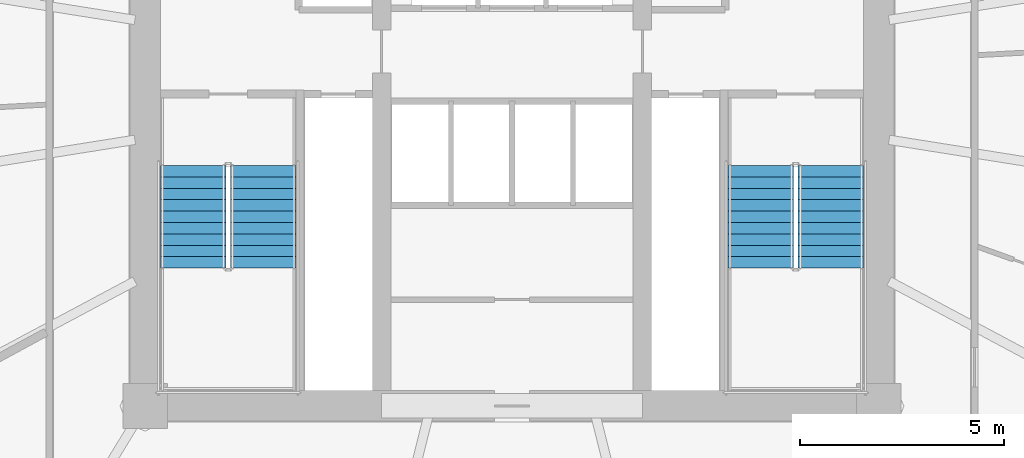
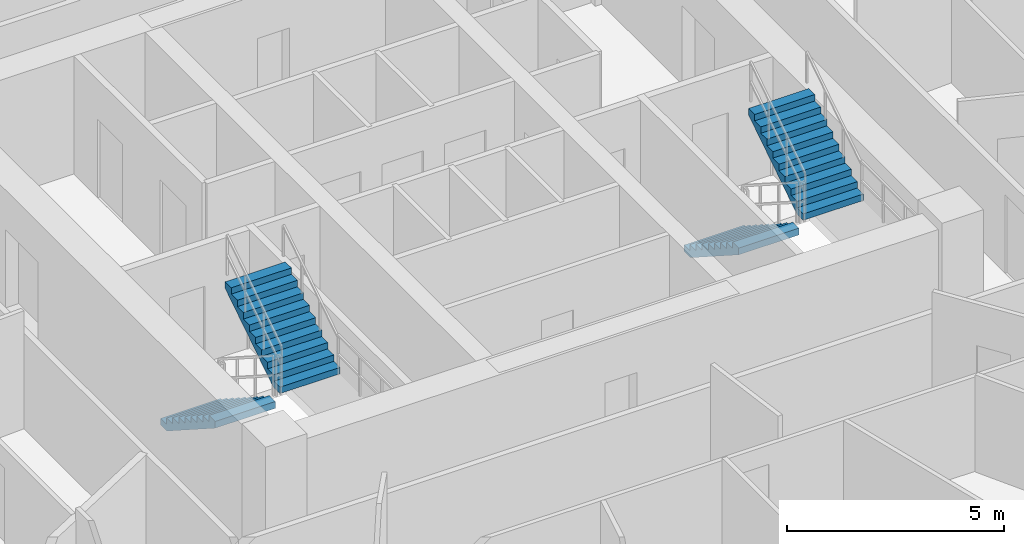
# One storey, part 26 of 30: 4 stair flights, 2 elements without a shape of their own.
"""IFC4 building model written with IfcOpenShell, lengths in metres."""

from ifc_helpers import new_model, si_unit, direction, frame, origin, place, context, subcontext, project, spatial, polyline, outline, extrude, material, type_object, element, aggregate, save


model = new_model("IFC4")

# Units and contexts
model_context = context("Model", 3, precision=1e-05, world=origin(), true_north=direction((-0.2419218956, 0.970295726276)))
body_context = subcontext(model_context, "Body", "Model", "MODEL_VIEW")
ifc_project = project(units=[si_unit("LENGTHUNIT", "METRE"), si_unit("AREAUNIT", "SQUARE_METRE"), si_unit("VOLUMEUNIT", "CUBIC_METRE"), si_unit("PLANEANGLEUNIT", "RADIAN"), si_unit("MASSUNIT", "GRAM", prefix="KILO")], contexts=[model_context])

# Site, building, storey
site_placement = place(None, origin())
site = spatial("IfcSite", under=ifc_project, at=site_placement, CompositionType="ELEMENT")
building_placement = place(site_placement, origin())
building = spatial("IfcBuilding", under=site, at=building_placement, Name="Cobrevalo Terracotta Tower", CompositionType="ELEMENT")
storey_placement = place(building_placement, frame((0.0, 0.0, 60.0)))
storey = spatial("IfcBuildingStorey", under=building, at=storey_placement, Name="L15", CompositionType="ELEMENT", Elevation=60.0)

# Stair, stair flights
ifc_material = material(Name="Concrete C50", Category="concrete")
stair_type = type_object("IfcStairType", Name="Core protected escape dogleg stair 1600", PredefinedType="HALF_TURN_STAIR", material=ifc_material)
stair_1_placement = place(storey_placement, origin())
stair_1 = element("IfcStair", 1, at=stair_1_placement, inside=storey, type_object=stair_type, Name="L15 Protected exit stair ST-1", PredefinedType="HALF_TURN_STAIR")
stair_flight_type = type_object("IfcStairFlightType", Name="Core protected escape dogleg stair 1600 flight", PredefinedType="STRAIGHT", material=ifc_material)
stair_flight_1_placement = place(storey_placement, frame((30.175048828125, 24.699951171875, 0.0), z_axis=(0.0, 0.0, 1.0), x_axis=(0.0, -1.0, 0.0)))
stair_flight_1 = element("IfcStairFlight", 2, at=stair_flight_1_placement, type_object=stair_flight_type, Name="ST-1 flight 1", NumberOfRisers=10, NumberOfTreads=9, PredefinedType="STRAIGHT", RiserHeight=0.18, TreadLength=0.28, context=body_context, shape_type="SweptSolid", body=[
    extrude(outline(polyline([(0.0, 0.0), (0.0, 0.179931640625), (0.280029296875, 0.179931640625), (0.280029296875, 0.360107421875), (0.56005859375, 0.360107421875), (0.56005859375, 0.5400390625), (0.840087890625, 0.5400390625), (0.840087890625, 0.719970703125), (1.1201171875, 0.719970703125), (1.1201171875, 0.89990234375), (1.39990234375, 0.89990234375), (1.39990234375, 1.080078125), (1.679931640625, 1.080078125), (1.679931640625, 1.260009765625), (1.9599609375, 1.260009765625), (1.9599609375, 1.43994140625), (2.239990234375, 1.43994140625), (2.239990234375, 1.6201171875), (2.52001953125, 1.6201171875), (2.52001953125, 1.800048828125), (2.52001953125, 1.429931640625), (0.295654296875, 0.0), (0.0, 0.0)])), frame((0.0, 0.800048828125, 0.0), z_axis=(0.0, -1.0, 0.0), x_axis=(1.0, 0.0, 0.0)), (0.0, 0.0, 1.0), 1.60009765625),
])
stair_flight_2_placement = place(storey_placement, frame((31.89501953125, 22.179931640625, 1.800048828125), z_axis=(0.0, 0.0, 1.0), x_axis=(0.0, 1.0, 0.0)))
stair_flight_2 = element("IfcStairFlight", 3, at=stair_flight_2_placement, type_object=stair_flight_type, Name="ST-1 flight 2", NumberOfRisers=10, NumberOfTreads=9, PredefinedType="STRAIGHT", RiserHeight=0.18, TreadLength=0.28, context=body_context, shape_type="SweptSolid", body=[
    extrude(outline(polyline([(0.0, 0.0), (0.0, 0.179931640625), (0.280029296875, 0.179931640625), (0.280029296875, 0.360107421875), (0.56005859375, 0.360107421875), (0.56005859375, 0.5400390625), (0.840087890625, 0.5400390625), (0.840087890625, 0.719970703125), (1.1201171875, 0.719970703125), (1.1201171875, 0.89990234375), (1.39990234375, 0.89990234375), (1.39990234375, 1.080078125), (1.679931640625, 1.080078125), (1.679931640625, 1.260009765625), (1.9599609375, 1.260009765625), (1.9599609375, 1.43994140625), (2.239990234375, 1.43994140625), (2.239990234375, 1.6201171875), (2.52001953125, 1.6201171875), (2.52001953125, 1.800048828125), (2.52001953125, 1.429931640625), (0.295654296875, 0.0), (0.0, 0.0)])), frame((0.0, 0.800048828125, 0.0), z_axis=(0.0, -1.0, 0.0), x_axis=(1.0, 0.0, 0.0)), (0.0, 0.0, 1.0), 1.60009765625),
])
aggregate(stair_1, [stair_flight_1, stair_flight_2])

stair_2_placement = place(storey_placement, origin())
stair_2 = element("IfcStair", 4, at=stair_2_placement, inside=storey, type_object=stair_type, Name="L15 Protected exit stair ST-2", PredefinedType="HALF_TURN_STAIR")
stair_flight_3_placement = place(storey_placement, frame((44.10498046875, 24.699951171875, 0.0), z_axis=(0.0, 0.0, 1.0), x_axis=(0.0, -1.0, 0.0)))
stair_flight_3 = element("IfcStairFlight", 5, at=stair_flight_3_placement, type_object=stair_flight_type, Name="ST-2 flight 1", NumberOfRisers=10, NumberOfTreads=9, PredefinedType="STRAIGHT", RiserHeight=0.18, TreadLength=0.28, context=body_context, shape_type="SweptSolid", body=[
    extrude(outline(polyline([(0.0, 0.0), (0.0, 0.179931640625), (0.280029296875, 0.179931640625), (0.280029296875, 0.360107421875), (0.56005859375, 0.360107421875), (0.56005859375, 0.5400390625), (0.840087890625, 0.5400390625), (0.840087890625, 0.719970703125), (1.1201171875, 0.719970703125), (1.1201171875, 0.89990234375), (1.39990234375, 0.89990234375), (1.39990234375, 1.080078125), (1.679931640625, 1.080078125), (1.679931640625, 1.260009765625), (1.9599609375, 1.260009765625), (1.9599609375, 1.43994140625), (2.239990234375, 1.43994140625), (2.239990234375, 1.6201171875), (2.52001953125, 1.6201171875), (2.52001953125, 1.800048828125), (2.52001953125, 1.429931640625), (0.295654296875, 0.0), (0.0, 0.0)])), frame((0.0, 0.800048828125, 0.0), z_axis=(0.0, -1.0, 0.0), x_axis=(1.0, 0.0, 0.0)), (0.0, 0.0, 1.0), 1.60009765625),
])
stair_flight_4_placement = place(storey_placement, frame((45.824951171875, 22.179931640625, 1.800048828125), z_axis=(0.0, 0.0, 1.0), x_axis=(0.0, 1.0, 0.0)))
stair_flight_4 = element("IfcStairFlight", 6, at=stair_flight_4_placement, type_object=stair_flight_type, Name="ST-2 flight 2", NumberOfRisers=10, NumberOfTreads=9, PredefinedType="STRAIGHT", RiserHeight=0.18, TreadLength=0.28, context=body_context, shape_type="SweptSolid", body=[
    extrude(outline(polyline([(0.0, 0.0), (0.0, 0.179931640625), (0.280029296875, 0.179931640625), (0.280029296875, 0.360107421875), (0.56005859375, 0.360107421875), (0.56005859375, 0.5400390625), (0.840087890625, 0.5400390625), (0.840087890625, 0.719970703125), (1.1201171875, 0.719970703125), (1.1201171875, 0.89990234375), (1.39990234375, 0.89990234375), (1.39990234375, 1.080078125), (1.679931640625, 1.080078125), (1.679931640625, 1.260009765625), (1.9599609375, 1.260009765625), (1.9599609375, 1.43994140625), (2.239990234375, 1.43994140625), (2.239990234375, 1.6201171875), (2.52001953125, 1.6201171875), (2.52001953125, 1.800048828125), (2.52001953125, 1.429931640625), (0.295654296875, 0.0), (0.0, 0.0)])), frame((0.0, 0.800048828125, 0.0), z_axis=(0.0, -1.0, 0.0), x_axis=(1.0, 0.0, 0.0)), (0.0, 0.0, 1.0), 1.60009765625),
])
aggregate(stair_2, [stair_flight_3, stair_flight_4])

save(model, "model.ifc")
